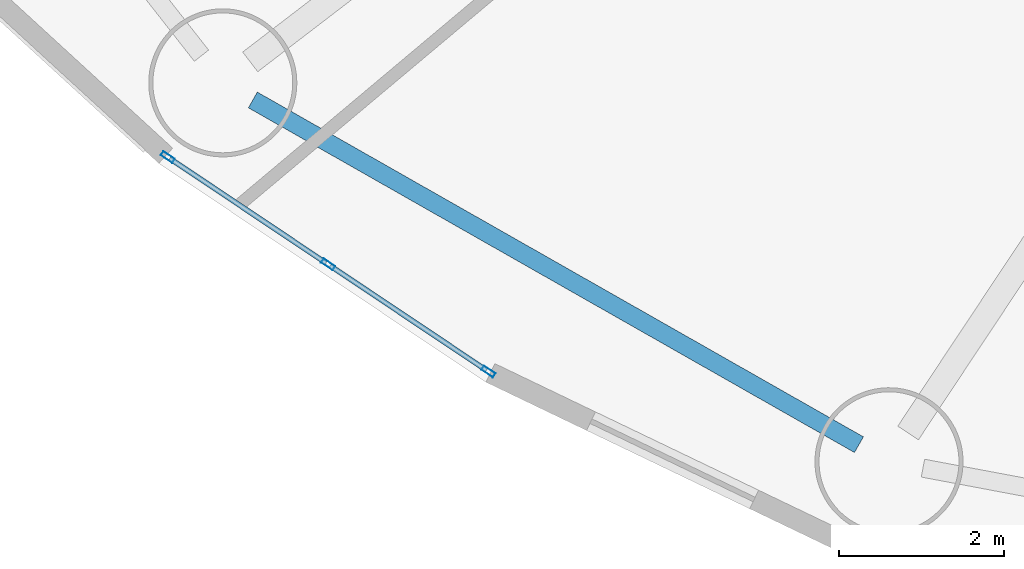
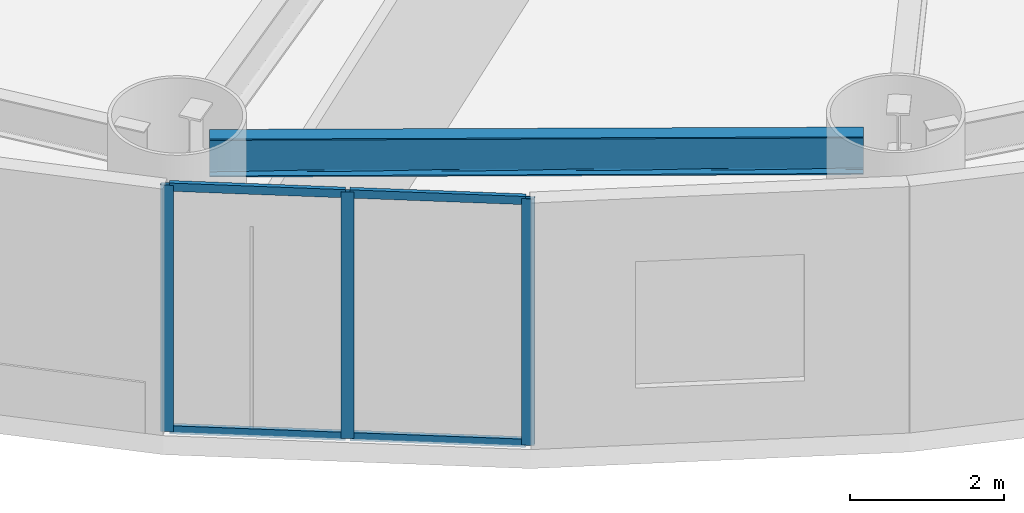
# One storey, part 4 of 27: 7 members, 1 beam, 1 element without a shape of its own.
"""IFC4 building model written with IfcOpenShell, lengths in metres."""

from ifc_helpers import new_model, si_unit, direction, frame, origin, origin_2d, place, context, subcontext, project, spatial, hollow_rectangle, i_section, extrude, source, transform, mapped, material, layer, layer_set, material_profile, profile_set, type_object, element, aggregate, save


model = new_model("IFC4")

# Units and contexts
model_context = context("Model", 3, precision=1e-05, world=origin(), true_north=direction((0.0, 1.0)))
body_context = subcontext(model_context, "Body", "Model", "MODEL_VIEW")
ifc_project = project(units=[si_unit("LENGTHUNIT", "METRE"), si_unit("AREAUNIT", "SQUARE_METRE"), si_unit("VOLUMEUNIT", "CUBIC_METRE"), si_unit("PLANEANGLEUNIT", "RADIAN"), si_unit("MASSUNIT", "GRAM", prefix="KILO")], contexts=[model_context])

# Site, building, storey
site_placement = place(None, origin())
site = spatial("IfcSite", under=ifc_project, at=site_placement, CompositionType="ELEMENT")
building_placement = place(site_placement, origin())
building = spatial("IfcBuilding", under=site, at=building_placement, Name="Linh Dai School and Residence Tower", CompositionType="ELEMENT")
storey_placement = place(building_placement, frame((0.0, 0.0, 18.60009765625)))
storey = spatial("IfcBuildingStorey", under=building, at=storey_placement, Name="L04", CompositionType="ELEMENT", Elevation=18.60009765625)

# Beam
ifc_material_1 = material(Name="Structural Steel S355JR", Category="steel")
ifc_material_profile_1 = material_profile(ifc_material_1, i_section(OverallWidth=0.219970703125, OverallDepth=0.60009765625, WebThickness=0.011962890625, FlangeThickness=0.01904296875, FilletRadius=0.02392578125, at=origin_2d()), Name="IPE 600")
ifc_profile_set_1 = profile_set([ifc_material_profile_1], Name="Structural Steel S355JR")
beam_type = type_object("IfcBeamType", Name="BM-RB60", PredefinedType="BEAM", material=ifc_profile_set_1)
beam_placement = place(storey_placement, frame((13.659912109375, 9.3916015625, 3.599853515625), z_axis=(0.869246663758, -0.494378637833, 0.0), x_axis=(0.494378637833, 0.869246663758, 0.0)))
element("IfcBeam", 1, at=beam_placement, inside=storey, type_object=beam_type, Name="L04 Perimeter Elliptical Ring Beam 11", PredefinedType="BEAM", context=body_context, shape_type="SweptSolid", body=[
    extrude(i_section(OverallWidth=0.219970703125, OverallDepth=0.60009765625, WebThickness=0.011962890625, FlangeThickness=0.01904296875, FilletRadius=0.02392578125, at=origin_2d()), origin(), (0.0, 0.0, 1.0), 8.4736328125),
])

# Curtain wall, members
ifc_material_2 = material(Name="Aluminium Anodised Curtain Wall", Category="aluminium")
ifc_layer = layer(ifc_material_2, 0.169921875)
ifc_layer_set = layer_set([ifc_layer], Name="Aluminium Anodised Curtain Wall")
curtain_wall_type = type_object("IfcCurtainWallType", Name="CW-SYS-2", PredefinedType="USERDEFINED", material=ifc_layer_set)
curtain_wall_placement = place(storey_placement, origin())
curtain_wall = element("IfcCurtainWall", 2, at=curtain_wall_placement, inside=storey, type_object=curtain_wall_type, Name="L04 CW2 Curtain Wall 26", ObjectType="UNITISED CURTAIN WALL", PredefinedType="USERDEFINED")
ifc_material_3 = material(Name="Aluminium Alloy 6063-T6", Category="aluminium")
ifc_material_profile_2 = material_profile(ifc_material_3, hollow_rectangle(XDim=0.06005859375, YDim=0.169921875, WallThickness=0.00390625, at=origin_2d()), Name="RHS 170x60x4")
ifc_profile_set_2 = profile_set([ifc_material_profile_2], Name="Aluminium Alloy 6063-T6")
member_type_1 = type_object("IfcMemberType", Name="CW-SYS-2-MUL", PredefinedType="MULLION", material=ifc_profile_set_2)
shared_shape_1 = source(origin(), body_context, "Body", "SweptSolid", [
    extrude(hollow_rectangle(XDim=0.06005859375, YDim=0.169921875, WallThickness=0.00390625, at=origin_2d()), origin(), (0.0, 0.0, 1.0), 3.89990234375),
])
member_1_placement = place(storey_placement, frame((16.5224609375, 6.0908203125, 0.0), z_axis=(0.0, 0.0, 1.0), x_axis=(-0.555956563843, -0.831211344437, 0.0)))
member_1 = element("IfcMember", 3, at=member_1_placement, type_object=member_type_1, Name="CW2 mullion 1", PredefinedType="MULLION", context=body_context, shape_type="MappedRepresentation", body=[
    mapped(shared_shape_1, transform((0.0, 0.0, 0.0), x_axis=(1.0, 0.0, 0.0), y_axis=(0.0, 1.0, 0.0), z_axis=(0.0, 0.0, 1.0), scale=1.0)),
])
member_2_placement = place(storey_placement, frame((14.57421875, 7.393798828125, 0.0), z_axis=(0.0, 0.0, 1.0), x_axis=(-0.555956563843, -0.831211344437, 0.0)))
member_2 = element("IfcMember", 4, at=member_2_placement, type_object=member_type_1, Name="CW2 mullion 2", PredefinedType="MULLION", context=body_context, shape_type="MappedRepresentation", body=[
    mapped(shared_shape_1, transform((0.0, 0.0, 0.0), x_axis=(1.0, 0.0, 0.0), y_axis=(0.0, 1.0, 0.0), z_axis=(0.0, 0.0, 1.0), scale=1.0)),
])
member_3_placement = place(storey_placement, frame((12.6259765625, 8.697021484375, 0.0), z_axis=(0.0, 0.0, 1.0), x_axis=(-0.555956563843, -0.831211344437, 0.0)))
member_3 = element("IfcMember", 5, at=member_3_placement, type_object=member_type_1, Name="CW2 mullion 3", PredefinedType="MULLION", context=body_context, shape_type="MappedRepresentation", body=[
    mapped(shared_shape_1, transform((0.0, 0.0, 0.0), x_axis=(1.0, 0.0, 0.0), y_axis=(0.0, 1.0, 0.0), z_axis=(0.0, 0.0, 1.0), scale=1.0)),
])
ifc_material_profile_3 = material_profile(ifc_material_3, hollow_rectangle(XDim=0.06005859375, YDim=0.1298828125, WallThickness=0.00390625, at=origin_2d()), Name="RHS 130x60x4")
ifc_profile_set_3 = profile_set([ifc_material_profile_3], Name="Aluminium Alloy 6063-T6")
member_type_2 = type_object("IfcMemberType", Name="CW-SYS-2-TRN", PredefinedType="USERDEFINED", material=ifc_profile_set_3)
shared_shape_2 = source(origin(), body_context, "Body", "SweptSolid", [
    extrude(hollow_rectangle(XDim=0.06005859375, YDim=0.1298828125, WallThickness=0.00390625, at=origin_2d()), origin(), (0.0, 0.0, 1.0), 2.28369140625),
])
member_4_placement = place(storey_placement, frame((16.49755859375, 6.107666015625, 0.02978515625), z_axis=(-0.831260031008, 0.555883765592, 0.0), x_axis=(-0.555883765592, -0.831260031008, 0.0)))
member_4 = element("IfcMember", 6, at=member_4_placement, type_object=member_type_2, Name="CW2 transom 1.1", ObjectType="TRANSOM", PredefinedType="USERDEFINED", context=body_context, shape_type="MappedRepresentation", body=[
    mapped(shared_shape_2, transform((0.0, 0.0, 0.0), x_axis=(1.0, 0.0, 0.0), y_axis=(0.0, 1.0, 0.0), z_axis=(0.0, 0.0, 1.0), scale=1.0)),
])
member_5_placement = place(storey_placement, frame((16.49755859375, 6.107666015625, 3.869873046875), z_axis=(-0.831260031008, 0.555883765592, 0.0), x_axis=(-0.555883765592, -0.831260031008, 0.0)))
member_5 = element("IfcMember", 7, at=member_5_placement, type_object=member_type_2, Name="CW2 transom 1.2", ObjectType="TRANSOM", PredefinedType="USERDEFINED", context=body_context, shape_type="MappedRepresentation", body=[
    mapped(shared_shape_2, transform((0.0, 0.0, 0.0), x_axis=(1.0, 0.0, 0.0), y_axis=(0.0, 1.0, 0.0), z_axis=(0.0, 0.0, 1.0), scale=1.0)),
])
member_6_placement = place(storey_placement, frame((14.54931640625, 7.41064453125, 0.02978515625), z_axis=(-0.831260031008, 0.555883765592, 0.0), x_axis=(-0.555883765592, -0.831260031008, 0.0)))
member_6 = element("IfcMember", 8, at=member_6_placement, type_object=member_type_2, Name="CW2 transom 2.1", ObjectType="TRANSOM", PredefinedType="USERDEFINED", context=body_context, shape_type="MappedRepresentation", body=[
    mapped(shared_shape_2, transform((0.0, 0.0, 0.0), x_axis=(1.0, 0.0, 0.0), y_axis=(0.0, 1.0, 0.0), z_axis=(0.0, 0.0, 1.0), scale=1.0)),
])
member_7_placement = place(storey_placement, frame((14.54931640625, 7.41064453125, 3.869873046875), z_axis=(-0.831260031008, 0.555883765592, 0.0), x_axis=(-0.555883765592, -0.831260031008, 0.0)))
member_7 = element("IfcMember", 9, at=member_7_placement, type_object=member_type_2, Name="CW2 transom 2.2", ObjectType="TRANSOM", PredefinedType="USERDEFINED", context=body_context, shape_type="MappedRepresentation", body=[
    mapped(shared_shape_2, transform((0.0, 0.0, 0.0), x_axis=(1.0, 0.0, 0.0), y_axis=(0.0, 1.0, 0.0), z_axis=(0.0, 0.0, 1.0), scale=1.0)),
])
aggregate(curtain_wall, [member_1, member_2, member_3, member_4, member_5, member_6, member_7])

save(model, "model.ifc")
